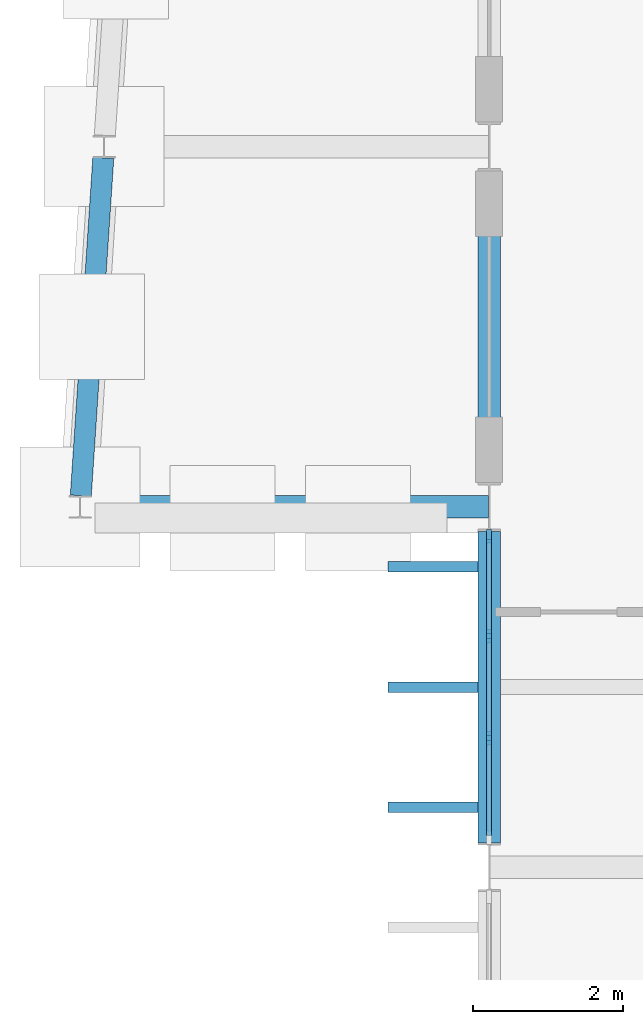
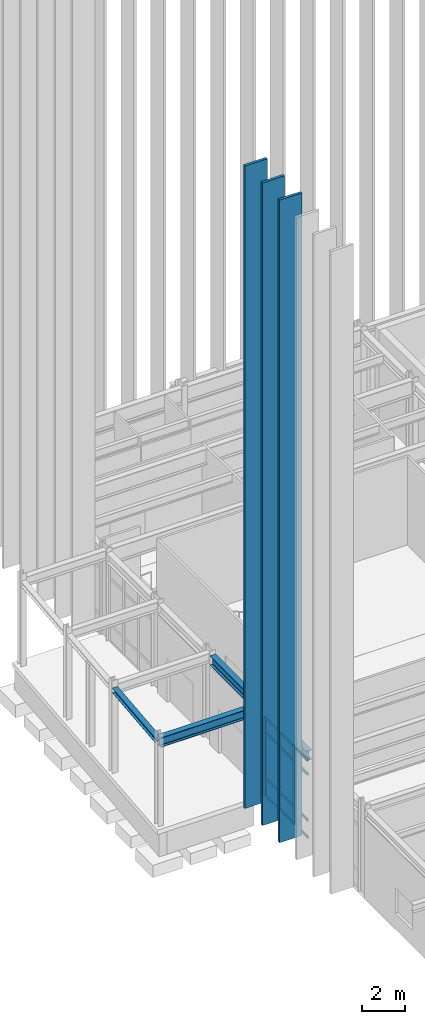
# One storey, part 37 of 109: 18 members, 4 beams, 1 element without a shape of its own.
"""IFC4 building model written with IfcOpenShell, lengths in metres."""

from ifc_helpers import new_model, si_unit, direction, frame, origin, origin_2d, place, context, subcontext, project, spatial, rectangle, i_section, extrude, material, layer, layer_set, material_profile, profile_set, type_object, element, aggregate, save


model = new_model("IFC4")

# Units and contexts
model_context = context("Model", 3, precision=1e-05, world=origin(), true_north=direction((0.0, 1.0)))
body_context = subcontext(model_context, "Body", "Model", "MODEL_VIEW")
ifc_project = project(units=[si_unit("LENGTHUNIT", "METRE"), si_unit("AREAUNIT", "SQUARE_METRE"), si_unit("VOLUMEUNIT", "CUBIC_METRE"), si_unit("PLANEANGLEUNIT", "RADIAN"), si_unit("MASSUNIT", "GRAM", prefix="KILO")], contexts=[model_context])

# Site, building, storey
site_placement = place(None, origin())
site = spatial("IfcSite", under=ifc_project, at=site_placement, CompositionType="ELEMENT")
building_placement = place(site_placement, origin())
building = spatial("IfcBuilding", under=site, at=building_placement, Name="Nordkorset Police Headquarters", CompositionType="ELEMENT")
storey_placement = place(building_placement, origin())
storey = spatial("IfcBuildingStorey", under=building, at=storey_placement, Name="L00", CompositionType="ELEMENT", Elevation=0.0)

# Beam
ifc_material_1 = material(Name="Steel S355J2", Category="steel")
ifc_material_profile_1 = material_profile(ifc_material_1, i_section(OverallWidth=0.300048828125, OverallDepth=0.5400390625, WebThickness=0.012451171875, FlangeThickness=0.02392578125, FilletRadius=0.027099609375, at=origin_2d()), Name="HEA 550")
ifc_profile_set_1 = profile_set([ifc_material_profile_1], Name="Steel S355J2")
beam_type_1 = type_object("IfcBeamType", Name="BM-CANOPY-GIRD", PredefinedType="USERDEFINED", material=ifc_profile_set_1)
beam_1_placement = place(storey_placement, frame((-5.444091796875, 92.800048828125, 4.72998046875), z_axis=(1.0, 0.0, 0.0), x_axis=(0.0, 1.0, 0.0)))
element("IfcBeam", 1, at=beam_1_placement, inside=storey, type_object=beam_type_1, Name="Forecourt Canopy Girder 1", ObjectType="GIRDER", PredefinedType="USERDEFINED", context=body_context, shape_type="SweptSolid", body=[
    extrude(i_section(OverallWidth=0.300048828125, OverallDepth=0.5400390625, WebThickness=0.012451171875, FlangeThickness=0.02392578125, FilletRadius=0.027099609375, at=origin_2d()), origin(), (0.0, 0.0, 1.0), 5.43603515625),
])

# Curtain wall, members
ifc_material_2 = material(Name="Aluminium alloy AW-6060", Category="aluminium")
ifc_layer = layer(ifc_material_2, 0.179931640625, Name="Aluminium alloy AW-6060")
ifc_layer_set = layer_set([ifc_layer], Name="Aluminium alloy AW-6060")
curtain_wall_type = type_object("IfcCurtainWallType", Name="CW_Unit_408x444", PredefinedType="USERDEFINED", material=ifc_layer_set)
curtain_wall_placement = place(storey_placement, origin())
curtain_wall = element("IfcCurtainWall", 2, at=curtain_wall_placement, inside=storey, type_object=curtain_wall_type, Name="Unitised Curtain Wall L00 V1W-1", ObjectType="UNITISED CURTAIN WALL", PredefinedType="USERDEFINED")
ifc_material_3 = material(Name="Aluminium alloy AW-6060", Category="aluminium")
ifc_material_profile_2 = material_profile(ifc_material_3, rectangle(XDim=0.06494140625, YDim=0.179931640625, at=origin_2d()), Name="ALU MULL 65x180")
ifc_profile_set_2 = profile_set([ifc_material_profile_2], Name="Aluminium alloy AW-6060")
member_type_1 = type_object("IfcMemberType", Name="CW_Mullion_65x180", PredefinedType="MULLION", material=ifc_profile_set_2)
member_1_placement = place(storey_placement, frame((0.0, 89.719970703125, 0.0), z_axis=(0.0, 0.0, 1.0), x_axis=(-1.0, 0.0, 0.0)))
member_1 = element("IfcMember", 3, at=member_1_placement, type_object=member_type_1, Name="CW-66 mullion 2", PredefinedType="MULLION", context=body_context, shape_type="SweptSolid", body=[
    extrude(rectangle(XDim=0.06494140625, YDim=0.179931640625, at=origin_2d()), origin(), (0.0, 0.0, 1.0), 4.43994140625),
])
member_2_placement = place(storey_placement, frame((0.0, 91.080078125, 0.0), z_axis=(0.0, 0.0, 1.0), x_axis=(-1.0, 0.0, 0.0)))
member_2 = element("IfcMember", 4, at=member_2_placement, type_object=member_type_1, Name="CW-66 mullion 3", PredefinedType="MULLION", context=body_context, shape_type="SweptSolid", body=[
    extrude(rectangle(XDim=0.06494140625, YDim=0.179931640625, at=origin_2d()), origin(), (0.0, 0.0, 1.0), 4.43994140625),
])
member_3_placement = place(storey_placement, frame((0.0, 92.407470703125, 0.0), z_axis=(0.0, 0.0, 1.0), x_axis=(-1.0, 0.0, 0.0)))
member_3 = element("IfcMember", 5, at=member_3_placement, type_object=member_type_1, Name="CW-66 mullion 4", PredefinedType="MULLION", context=body_context, shape_type="SweptSolid", body=[
    extrude(rectangle(XDim=0.06494140625, YDim=0.179931640625, at=origin_2d()), origin(), (0.0, 0.0, 1.0), 4.43994140625),
])
ifc_material_4 = material(Name="Aluminium alloy AW-6060", Category="aluminium")
ifc_material_profile_3 = material_profile(ifc_material_4, rectangle(XDim=0.06494140625, YDim=0.139892578125, at=origin_2d()), Name="ALU TRAN 65x140")
ifc_profile_set_3 = profile_set([ifc_material_profile_3], Name="Aluminium alloy AW-6060")
member_type_2 = type_object("IfcMemberType", Name="CW_Transom_65x140", PredefinedType="USERDEFINED", material=ifc_profile_set_3)
member_4_placement = place(storey_placement, frame((0.0, 88.425048828125, 0.032470703125), z_axis=(0.0, 1.0, 0.0), x_axis=(-1.0, 0.0, 0.0)))
member_4 = element("IfcMember", 6, at=member_4_placement, type_object=member_type_2, Name="CW-66 transom 1.1", ObjectType="TRANSOM", PredefinedType="USERDEFINED", context=body_context, shape_type="SweptSolid", body=[
    extrude(rectangle(XDim=0.06494140625, YDim=0.139892578125, at=origin_2d()), origin(), (0.0, 0.0, 1.0), 1.262451171875),
])
member_5_placement = place(storey_placement, frame((0.0, 88.425048828125, 1.0), z_axis=(0.0, 1.0, 0.0), x_axis=(-1.0, 0.0, 0.0)))
member_5 = element("IfcMember", 7, at=member_5_placement, type_object=member_type_2, Name="CW-66 transom 1.2", ObjectType="TRANSOM", PredefinedType="USERDEFINED", context=body_context, shape_type="SweptSolid", body=[
    extrude(rectangle(XDim=0.06494140625, YDim=0.139892578125, at=origin_2d()), origin(), (0.0, 0.0, 1.0), 1.262451171875),
])
member_6_placement = place(storey_placement, frame((0.0, 88.425048828125, 3.590087890625), z_axis=(0.0, 1.0, 0.0), x_axis=(-1.0, 0.0, 0.0)))
member_6 = element("IfcMember", 8, at=member_6_placement, type_object=member_type_2, Name="CW-66 transom 1.3", ObjectType="TRANSOM", PredefinedType="USERDEFINED", context=body_context, shape_type="SweptSolid", body=[
    extrude(rectangle(XDim=0.06494140625, YDim=0.139892578125, at=origin_2d()), origin(), (0.0, 0.0, 1.0), 1.262451171875),
])
member_7_placement = place(storey_placement, frame((0.0, 88.425048828125, 4.407470703125), z_axis=(0.0, 1.0, 0.0), x_axis=(-1.0, 0.0, 0.0)))
member_7 = element("IfcMember", 9, at=member_7_placement, type_object=member_type_2, Name="CW-66 transom 1.4", ObjectType="TRANSOM", PredefinedType="USERDEFINED", context=body_context, shape_type="SweptSolid", body=[
    extrude(rectangle(XDim=0.06494140625, YDim=0.139892578125, at=origin_2d()), origin(), (0.0, 0.0, 1.0), 1.262451171875),
])
member_8_placement = place(storey_placement, frame((0.0, 89.75244140625, 0.032470703125), z_axis=(0.0, 1.0, 0.0), x_axis=(-1.0, 0.0, 0.0)))
member_8 = element("IfcMember", 10, at=member_8_placement, type_object=member_type_2, Name="CW-66 transom 2.1", ObjectType="TRANSOM", PredefinedType="USERDEFINED", context=body_context, shape_type="SweptSolid", body=[
    extrude(rectangle(XDim=0.06494140625, YDim=0.139892578125, at=origin_2d()), origin(), (0.0, 0.0, 1.0), 1.295166015625),
])
member_9_placement = place(storey_placement, frame((0.0, 89.75244140625, 1.0), z_axis=(0.0, 1.0, 0.0), x_axis=(-1.0, 0.0, 0.0)))
member_9 = element("IfcMember", 11, at=member_9_placement, type_object=member_type_2, Name="CW-66 transom 2.2", ObjectType="TRANSOM", PredefinedType="USERDEFINED", context=body_context, shape_type="SweptSolid", body=[
    extrude(rectangle(XDim=0.06494140625, YDim=0.139892578125, at=origin_2d()), origin(), (0.0, 0.0, 1.0), 1.295166015625),
])
member_10_placement = place(storey_placement, frame((0.0, 89.75244140625, 3.590087890625), z_axis=(0.0, 1.0, 0.0), x_axis=(-1.0, 0.0, 0.0)))
member_10 = element("IfcMember", 12, at=member_10_placement, type_object=member_type_2, Name="CW-66 transom 2.3", ObjectType="TRANSOM", PredefinedType="USERDEFINED", context=body_context, shape_type="SweptSolid", body=[
    extrude(rectangle(XDim=0.06494140625, YDim=0.139892578125, at=origin_2d()), origin(), (0.0, 0.0, 1.0), 1.295166015625),
])
member_11_placement = place(storey_placement, frame((0.0, 89.75244140625, 4.407470703125), z_axis=(0.0, 1.0, 0.0), x_axis=(-1.0, 0.0, 0.0)))
member_11 = element("IfcMember", 13, at=member_11_placement, type_object=member_type_2, Name="CW-66 transom 2.4", ObjectType="TRANSOM", PredefinedType="USERDEFINED", context=body_context, shape_type="SweptSolid", body=[
    extrude(rectangle(XDim=0.06494140625, YDim=0.139892578125, at=origin_2d()), origin(), (0.0, 0.0, 1.0), 1.295166015625),
])
member_12_placement = place(storey_placement, frame((0.0, 91.112548828125, 0.032470703125), z_axis=(0.0, 1.0, 0.0), x_axis=(-1.0, 0.0, 0.0)))
member_12 = element("IfcMember", 14, at=member_12_placement, type_object=member_type_2, Name="CW-66 transom 3.1", ObjectType="TRANSOM", PredefinedType="USERDEFINED", context=body_context, shape_type="SweptSolid", body=[
    extrude(rectangle(XDim=0.06494140625, YDim=0.139892578125, at=origin_2d()), origin(), (0.0, 0.0, 1.0), 1.262451171875),
])
member_13_placement = place(storey_placement, frame((0.0, 91.112548828125, 1.0), z_axis=(0.0, 1.0, 0.0), x_axis=(-1.0, 0.0, 0.0)))
member_13 = element("IfcMember", 15, at=member_13_placement, type_object=member_type_2, Name="CW-66 transom 3.2", ObjectType="TRANSOM", PredefinedType="USERDEFINED", context=body_context, shape_type="SweptSolid", body=[
    extrude(rectangle(XDim=0.06494140625, YDim=0.139892578125, at=origin_2d()), origin(), (0.0, 0.0, 1.0), 1.262451171875),
])
member_14_placement = place(storey_placement, frame((0.0, 91.112548828125, 3.590087890625), z_axis=(0.0, 1.0, 0.0), x_axis=(-1.0, 0.0, 0.0)))
member_14 = element("IfcMember", 16, at=member_14_placement, type_object=member_type_2, Name="CW-66 transom 3.3", ObjectType="TRANSOM", PredefinedType="USERDEFINED", context=body_context, shape_type="SweptSolid", body=[
    extrude(rectangle(XDim=0.06494140625, YDim=0.139892578125, at=origin_2d()), origin(), (0.0, 0.0, 1.0), 1.262451171875),
])
member_15_placement = place(storey_placement, frame((0.0, 91.112548828125, 4.407470703125), z_axis=(0.0, 1.0, 0.0), x_axis=(-1.0, 0.0, 0.0)))
member_15 = element("IfcMember", 17, at=member_15_placement, type_object=member_type_2, Name="CW-66 transom 3.4", ObjectType="TRANSOM", PredefinedType="USERDEFINED", context=body_context, shape_type="SweptSolid", body=[
    extrude(rectangle(XDim=0.06494140625, YDim=0.139892578125, at=origin_2d()), origin(), (0.0, 0.0, 1.0), 1.262451171875),
])
aggregate(curtain_wall, [member_1, member_2, member_3, member_4, member_5, member_6, member_7, member_8, member_9, member_10, member_11, member_12, member_13, member_14, member_15])

# Beams
ifc_material_5 = material(Name="Steel S355J2", Category="steel")
ifc_material_profile_4 = material_profile(ifc_material_5, i_section(OverallWidth=0.300048828125, OverallDepth=0.5400390625, WebThickness=0.012451171875, FlangeThickness=0.02392578125, FilletRadius=0.027099609375, at=origin_2d()), Name="HEA 550")
ifc_profile_set_4 = profile_set([ifc_material_profile_4], Name="Steel S355J2")
beam_type_2 = type_object("IfcBeamType", Name="Girder_HEA_550", PredefinedType="USERDEFINED", material=ifc_profile_set_4)
beam_2_placement = place(storey_placement, frame((0.0, 88.324951171875, 4.72998046875), z_axis=(0.0, 1.0, 0.0), x_axis=(-1.0, 0.0, 0.0)))
element("IfcBeam", 18, at=beam_2_placement, inside=storey, type_object=beam_type_2, Name="Girder V1 L00 GY-0-1", ObjectType="GIRDER", PredefinedType="USERDEFINED", context=body_context, shape_type="SweptSolid", body=[
    extrude(i_section(OverallWidth=0.300048828125, OverallDepth=0.5400390625, WebThickness=0.012451171875, FlangeThickness=0.02392578125, FilletRadius=0.027099609375, at=origin_2d()), origin(), (0.0, 0.0, 1.0), 4.150146484375),
])
beam_3_placement = place(storey_placement, frame((0.0, 93.125, 4.72998046875), z_axis=(0.0, 1.0, 0.0), x_axis=(-1.0, 0.0, 0.0)))
element("IfcBeam", 19, at=beam_3_placement, inside=storey, type_object=beam_type_2, Name="Girder V1 L00 GY-0-2", ObjectType="GIRDER", PredefinedType="USERDEFINED", context=body_context, shape_type="SweptSolid", body=[
    extrude(i_section(OverallWidth=0.300048828125, OverallDepth=0.5400390625, WebThickness=0.012451171875, FlangeThickness=0.02392578125, FilletRadius=0.027099609375, at=origin_2d()), origin(), (0.0, 0.0, 1.0), 4.14990234375),
])

# Members
ifc_material_6 = material(Name="Glulam GL30c", Category="wood")
ifc_material_profile_5 = material_profile(ifc_material_6, rectangle(XDim=0.139892578125, YDim=1.199951171875, at=origin_2d()), Name="GL30C FIN 140x1200")
ifc_profile_set_5 = profile_set([ifc_material_profile_5], Name="Glulam GL30c")
member_type_3 = type_object("IfcMemberType", Name="Member_GlulamFin_140x1200", PredefinedType="USERDEFINED", material=ifc_profile_set_5)
for number, where, z_axis, x_axis, name in (
    (20, (-0.75, 88.800048828125, 0.0), (0.0, 0.0, 1.0), (0.0, 1.0, 0.0), "Vertical Glulam Timber Fin West 004"),
    (21, (-0.75, 90.39990234375, 0.0), (0.0, 0.0, 1.0), (0.0, 1.0, 0.0), "Vertical Glulam Timber Fin West 005"),
    (22, (-0.75, 92.0, 0.0), (0.0, 0.0, 1.0), (0.0, 1.0, 0.0), "Vertical Glulam Timber Fin West 006"),
):
    element("IfcMember", number, at=place(storey_placement, frame(where, z_axis=z_axis, x_axis=x_axis)), inside=storey, type_object=member_type_3, Name=name, ObjectType="VERTICAL TIMBER FIN", PredefinedType="USERDEFINED", context=body_context, shape_type="SweptSolid", body=[
        extrude(rectangle(XDim=0.139892578125, YDim=1.199951171875, at=origin_2d()), origin(), (0.0, 0.0, 1.0), 36.409912109375),
    ])

# Beam
ifc_material_7 = material(Name="Steel S355J2", Category="steel")
ifc_material_profile_6 = material_profile(ifc_material_7, i_section(OverallWidth=0.280029296875, OverallDepth=0.27001953125, WebThickness=0.008056640625, FlangeThickness=0.012939453125, FilletRadius=0.02392578125, at=origin_2d()), Name="HEA 280")
ifc_profile_set_6 = profile_set([ifc_material_profile_6], Name="Steel S355J2")
beam_type_3 = type_object("IfcBeamType", Name="Spandrel_HEA_280", PredefinedType="SPANDREL", material=ifc_profile_set_6)
beam_4_placement = place(storey_placement, frame((-5.43994140625, 92.94970703125, 4.72998046875), z_axis=(0.066519010524, 0.997785157857, 0.0), x_axis=(-0.997785157857, 0.066519010524, 0.0)))
element("IfcBeam", 23, at=beam_4_placement, inside=storey, type_object=beam_type_3, Name="Forecourt Canopy Edge Tie 1", PredefinedType="SPANDREL", context=body_context, shape_type="SweptSolid", body=[
    extrude(i_section(OverallWidth=0.280029296875, OverallDepth=0.27001953125, WebThickness=0.008056640625, FlangeThickness=0.012939453125, FilletRadius=0.02392578125, at=origin_2d()), origin(), (0.0, 0.0, 1.0), 4.5107421875),
])

save(model, "model.ifc")
